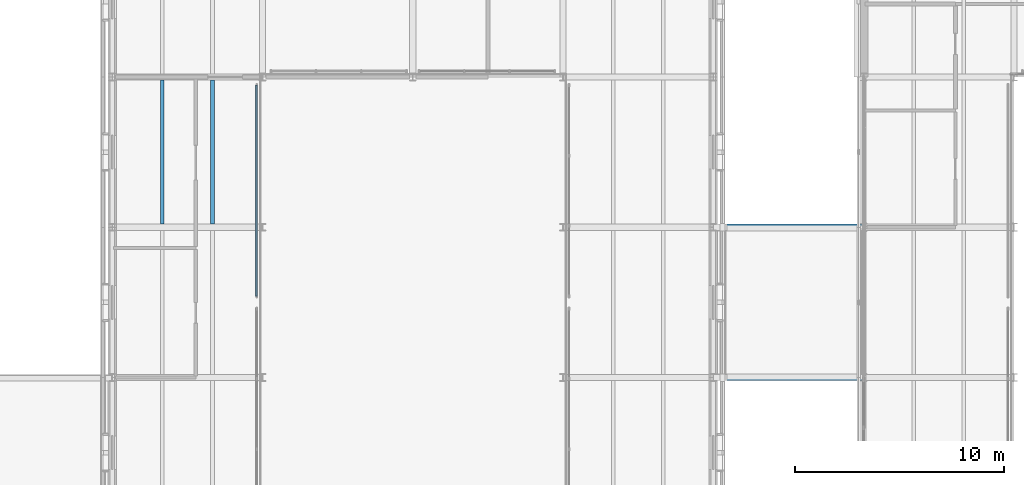
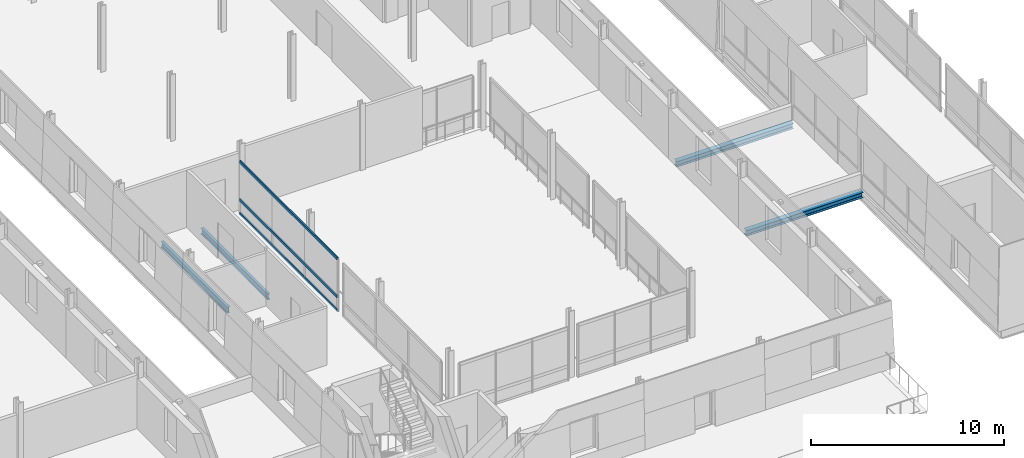
# One storey, part 19 of 91: 4 beams, 3 members, 1 element without a shape of its own.
"""IFC4 building model written with IfcOpenShell, lengths in metres."""

from ifc_helpers import new_model, si_unit, direction, frame, origin, origin_2d, place, context, subcontext, project, spatial, rectangle, i_section, extrude, material, layer, layer_set, material_profile, profile_set, type_object, element, aggregate, save


model = new_model("IFC4")

# Units and contexts
model_context = context("Model", 3, precision=1e-05, world=origin(), true_north=direction((0.0, 1.0)))
body_context = subcontext(model_context, "Body", "Model", "MODEL_VIEW")
ifc_project = project(units=[si_unit("LENGTHUNIT", "METRE"), si_unit("AREAUNIT", "SQUARE_METRE"), si_unit("VOLUMEUNIT", "CUBIC_METRE"), si_unit("PLANEANGLEUNIT", "RADIAN"), si_unit("MASSUNIT", "GRAM", prefix="KILO")], contexts=[model_context])

# Site, building, storey
site_placement = place(None, origin())
site = spatial("IfcSite", under=ifc_project, at=site_placement, CompositionType="ELEMENT")
building_placement = place(site_placement, origin())
building = spatial("IfcBuilding", under=site, at=building_placement, Name="Narikvali Park Central Library", CompositionType="ELEMENT")
storey_placement = place(building_placement, frame((0.0, 0.0, 14.39990234375)))
storey = spatial("IfcBuildingStorey", under=building, at=storey_placement, Name="L03", CompositionType="ELEMENT", Elevation=14.39990234375)

# Beams
ifc_material_1 = material(Name="Steel S355", Category="steel")
ifc_material_profile_1 = material_profile(ifc_material_1, i_section(OverallWidth=0.300048828125, OverallDepth=0.35009765625, WebThickness=0.010009765625, FlangeThickness=0.017578125, FilletRadius=0.027099609375, at=origin_2d()), Name="HEA 360")
ifc_profile_set_1 = profile_set([ifc_material_profile_1], Name="Steel S355")
beam_type_1 = type_object("IfcBeamType", Name="Bridge Sliding Girder HEA360", PredefinedType="BEAM", material=ifc_profile_set_1)
for number, where, z_axis, x_axis, name in (
    (1, (57.820068359375, 72.0, -0.414794921875), (1.0, 0.0, 0.0), (0.0, 1.0, 0.0), "BRG-2 L03 Sliding Bridge Girder 1-1"),
    (2, (57.820068359375, 79.199951171875, -0.414794921875), (1.0, 0.0, 0.0), (0.0, 1.0, 0.0), "BRG-2 L03 Sliding Bridge Girder 2-1"),
):
    element("IfcBeam", number, at=place(storey_placement, frame(where, z_axis=z_axis, x_axis=x_axis)), inside=storey, type_object=beam_type_1, Name=name, PredefinedType="BEAM", context=body_context, shape_type="SweptSolid", body=[
        extrude(i_section(OverallWidth=0.300048828125, OverallDepth=0.35009765625, WebThickness=0.010009765625, FlangeThickness=0.017578125, FilletRadius=0.027099609375, at=origin_2d()), origin(), (0.0, 0.0, 1.0), 6.969970703125),
    ])

# Curtain wall, members
ifc_material_2 = material(Name="Anodised Bronze Aluminium", Category="aluminium")
ifc_layer = layer(ifc_material_2, 0.219970703125, Name="Anodised Bronze Aluminium")
ifc_layer_set = layer_set([ifc_layer], Name="Anodised Bronze Aluminium")
curtain_wall_type = type_object("IfcCurtainWallType", Name="Atrium Tall Curtain Wall System", PredefinedType="NOTDEFINED", material=ifc_layer_set)
curtain_wall_placement = place(storey_placement, origin())
curtain_wall = element("IfcCurtainWall", 3, at=curtain_wall_placement, inside=storey, type_object=curtain_wall_type, Name="Atrium Tall Curtain Wall System CW-INT-V4-L03-W2", PredefinedType="NOTDEFINED")
ifc_material_profile_2 = material_profile(ifc_material_2, rectangle(XDim=0.074951171875, YDim=0.179931640625, at=origin_2d()), Name="CW TRANSOM 75x180")
ifc_profile_set_2 = profile_set([ifc_material_profile_2], Name="Anodised Bronze Aluminium")
member_type = type_object("IfcMemberType", Name="Curtain Wall Heavy Transom 75x180", PredefinedType="USERDEFINED", material=ifc_profile_set_2)
member_1_placement = place(storey_placement, frame((35.719970703125, 75.89990234375, 0.030029296875), z_axis=(0.0, 1.0, 0.0), x_axis=(-1.0, 0.0, 0.0)))
member_1 = element("IfcMember", 4, at=member_1_placement, type_object=member_type, Name="CW-INT-V4-L03-W2 Transom 00", ObjectType="TRANSOM", PredefinedType="USERDEFINED", context=body_context, shape_type="SweptSolid", body=[
    extrude(rectangle(XDim=0.074951171875, YDim=0.179931640625, at=origin_2d()), origin(), (0.0, 0.0, 1.0), 10.10009765625),
])
member_2_placement = place(storey_placement, frame((35.719970703125, 75.89990234375, 0.900146484375), z_axis=(0.0, 1.0, 0.0), x_axis=(-1.0, 0.0, 0.0)))
member_2 = element("IfcMember", 5, at=member_2_placement, type_object=member_type, Name="CW-INT-V4-L03-W2 Transom 01", ObjectType="TRANSOM", PredefinedType="USERDEFINED", context=body_context, shape_type="SweptSolid", body=[
    extrude(rectangle(XDim=0.074951171875, YDim=0.179931640625, at=origin_2d()), origin(), (0.0, 0.0, 1.0), 10.10009765625),
])
member_3_placement = place(storey_placement, frame((35.719970703125, 75.89990234375, 3.2900390625), z_axis=(0.0, 1.0, 0.0), x_axis=(-1.0, 0.0, 0.0)))
member_3 = element("IfcMember", 6, at=member_3_placement, type_object=member_type, Name="CW-INT-V4-L03-W2 Transom 02", ObjectType="TRANSOM", PredefinedType="USERDEFINED", context=body_context, shape_type="SweptSolid", body=[
    extrude(rectangle(XDim=0.074951171875, YDim=0.179931640625, at=origin_2d()), origin(), (0.0, 0.0, 1.0), 10.10009765625),
])
aggregate(curtain_wall, [member_1, member_2, member_3])

# Beams
ifc_material_profile_3 = material_profile(ifc_material_1, i_section(OverallWidth=0.172119140625, OverallDepth=0.364013671875, WebThickness=0.00927734375, FlangeThickness=0.0146484375, FilletRadius=0.01806640625, at=origin_2d()), Name="IPEO 360")
ifc_profile_set_3 = profile_set([ifc_material_profile_3], Name="Steel S355")
beam_type_2 = type_object("IfcBeamType", Name="Upper Study Joist IPEO360", PredefinedType="JOIST", material=ifc_profile_set_3)
for number, where, z_axis, x_axis, name in (
    (7, (31.199951171875, 79.35009765625, -0.4619140625), (0.0, 1.0, 0.0), (-1.0, 0.0, 0.0), "V4 L03 Composite Joist 1"),
    (8, (33.60009765625, 79.35009765625, -0.4619140625), (0.0, 1.0, 0.0), (-1.0, 0.0, 0.0), "V4 L03 Composite Joist 2"),
):
    element("IfcBeam", number, at=place(storey_placement, frame(where, z_axis=z_axis, x_axis=x_axis)), inside=storey, type_object=beam_type_2, Name=name, PredefinedType="JOIST", context=body_context, shape_type="SweptSolid", body=[
        extrude(i_section(OverallWidth=0.172119140625, OverallDepth=0.364013671875, WebThickness=0.00927734375, FlangeThickness=0.0146484375, FilletRadius=0.01806640625, at=origin_2d()), origin(), (0.0, 0.0, 1.0), 6.89990234375),
    ])

save(model, "model.ifc")
